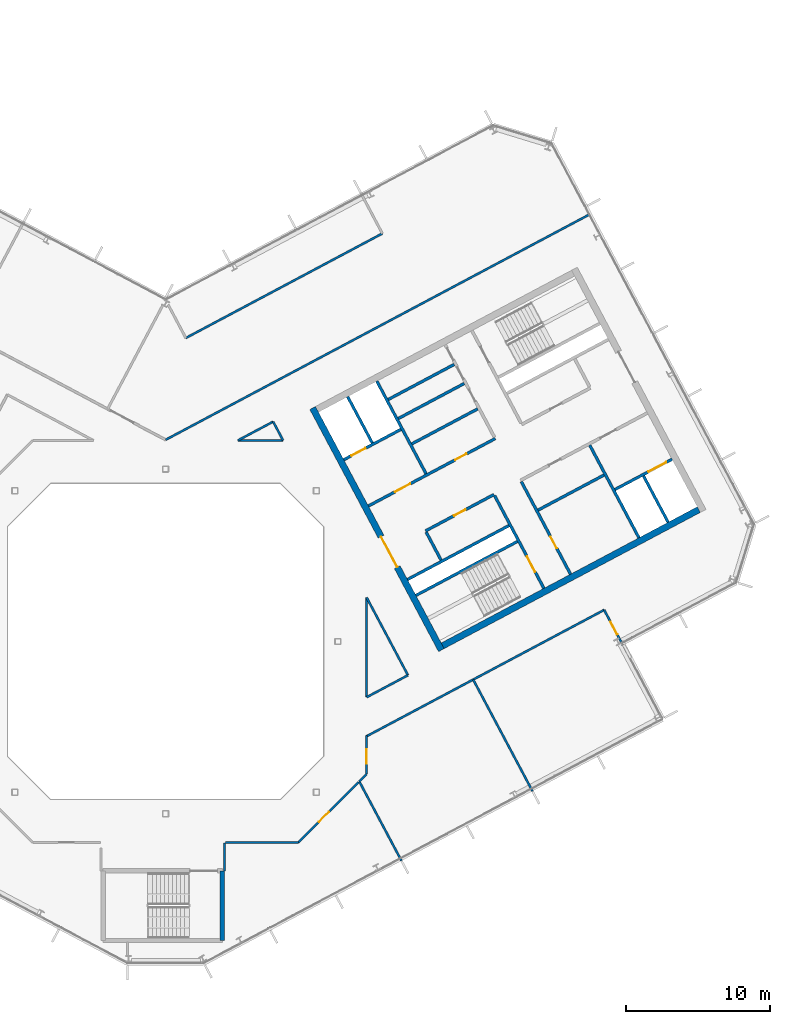
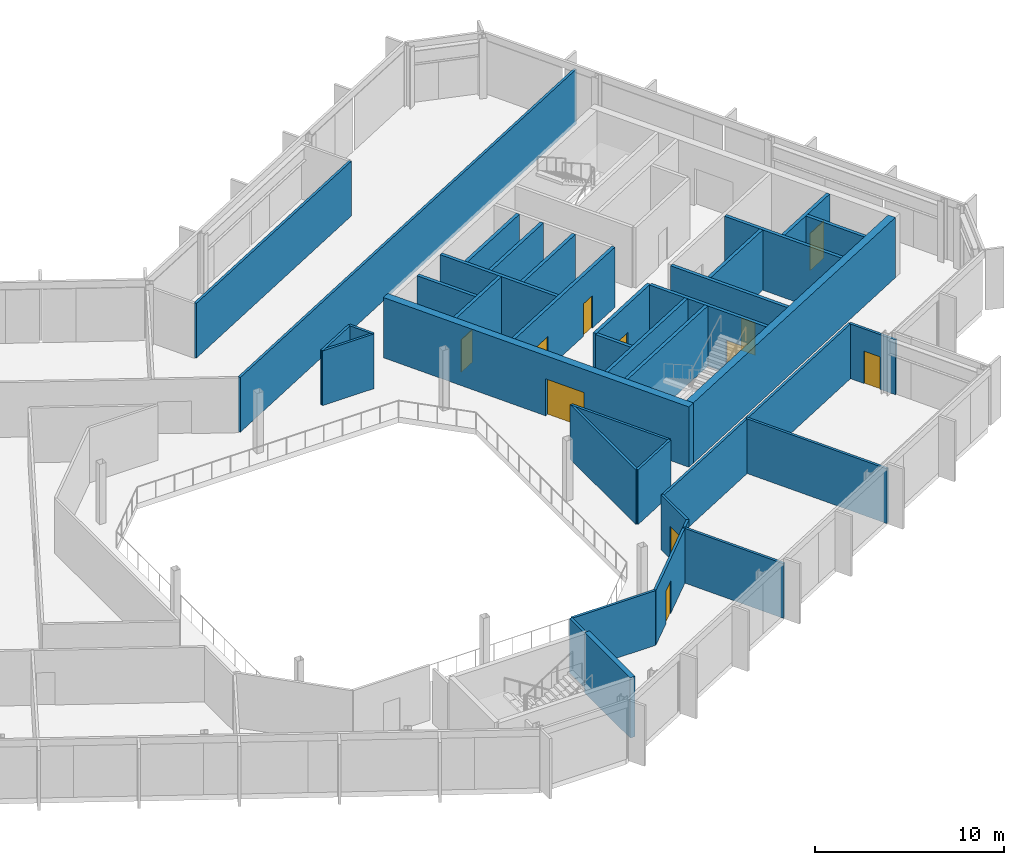
# One storey, part 16 of 26: 37 walls, 11 doors, 11 openings.
"""IFC4 building model written with IfcOpenShell, lengths in metres."""

from ifc_helpers import new_model, si_unit, direction, frame, frame_2d, origin, place, context, subcontext, project, spatial, rectangle, extrude, material, layer, layer_set, type_object, element, fill, save


model = new_model("IFC4")

# Units and contexts
model_context = context("Model", 3, precision=1e-05, world=origin(), true_north=direction((0.0, 1.0)))
body_context = subcontext(model_context, "Body", "Model", "MODEL_VIEW")
ifc_project = project(units=[si_unit("LENGTHUNIT", "METRE"), si_unit("AREAUNIT", "SQUARE_METRE"), si_unit("VOLUMEUNIT", "CUBIC_METRE"), si_unit("PLANEANGLEUNIT", "RADIAN"), si_unit("MASSUNIT", "GRAM", prefix="KILO")], contexts=[model_context])

# Site, building, storey
site_placement = place(None, origin())
site = spatial("IfcSite", under=ifc_project, at=site_placement, CompositionType="ELEMENT")
building_placement = place(site_placement, origin())
building = spatial("IfcBuilding", under=site, at=building_placement, Name="Cormorant Relay Tower", CompositionType="ELEMENT")
storey_placement = place(building_placement, frame((0.0, 0.0, 269.699951171875)))
storey = spatial("IfcBuildingStorey", under=building, at=storey_placement, Name="L60", CompositionType="ELEMENT", Elevation=269.699951171875)

# Walls
ifc_material_1 = material(Name="Concrete 40 MPa", Category="concrete")
ifc_layer_1 = layer(ifc_material_1, 0.199951171875)
ifc_layer_set_1 = layer_set([ifc_layer_1], Name="Core internal wall 200")
wall_type_1 = type_object("IfcWallType", Name="Core internal wall 200", PredefinedType="SOLIDWALL", material=ifc_layer_set_1)
for number, where, z_axis, x_axis, name in (
    (1, (16.2080078125, 15.526611328125, 0.0), (0.0, 0.0, 1.0), (0.882953967957, 0.469459572775, 0.0), "L60 core B shaft and room wall"),
    (2, (15.503662109375, 16.85107421875, 0.0), (0.0, 0.0, 1.0), (0.882953967957, 0.469459572775, 0.0), "L60 core B shaft and room wall"),
):
    element("IfcWall", number, at=place(storey_placement, frame(where, z_axis=z_axis, x_axis=x_axis)), inside=storey, type_object=wall_type_1, Name=name, PredefinedType="SOLIDWALL", context=body_context, shape_type="SweptSolid", body=[
        extrude(rectangle(XDim=5.199951171875, YDim=0.199951171875, at=frame_2d((2.60009765625, 0.0))), origin(), (0.0, 0.0, 1.0), 3.900146484375),
    ])
ifc_material_2 = material(Name="Concrete 50 MPa", Category="concrete")
ifc_layer_2 = layer(ifc_material_2, 0.199951171875)
ifc_layer_set_2 = layer_set([ifc_layer_2], Name="Core shaft wall 200")
wall_type_2 = type_object("IfcWallType", Name="Core shaft wall 200", PredefinedType="SHEAR", material=ifc_layer_set_2)
wall_1_placement = place(storey_placement, frame((14.39404296875, 13.825927734375, 0.0), z_axis=(0.0, 0.0, 1.0), x_axis=(-0.469494272526, 0.882935517501, 0.0)))
element("IfcWall", 3, at=wall_1_placement, inside=storey, type_object=wall_type_2, Name="L60 core B shaft wall", PredefinedType="SHEAR", context=body_context, shape_type="SweptSolid", body=[
    extrude(rectangle(XDim=3.64990234375, YDim=0.199951171875, at=frame_2d((1.824951171875, 0.0))), origin(), (0.0, 0.0, 1.0), 3.900146484375),
])
wall_2_placement = place(storey_placement, frame((19.18359375, 5.669921875, 0.0), z_axis=(0.0, 0.0, 1.0), x_axis=(-0.4694473164, 0.882960484464, 0.0)))
element("IfcWall", 4, at=wall_2_placement, inside=storey, type_object=wall_type_2, Name="L60 core B shaft wall", PredefinedType="SHEAR", context=body_context, shape_type="SweptSolid", body=[
    extrude(rectangle(XDim=2.199951171875, YDim=0.199951171875, at=frame_2d((1.10009765625, 0.0))), origin(), (0.0, 0.0, 1.0), 3.900146484375),
])
wall_3_placement = place(storey_placement, frame((18.138427734375, 11.682861328125, 0.0), z_axis=(0.0, 0.0, 1.0), x_axis=(-0.469480409012, 0.88294288918, 0.0)))
element("IfcWall", 5, at=wall_3_placement, inside=storey, type_object=wall_type_2, Name="L60 core B shaft wall", PredefinedType="SHEAR", context=body_context, shape_type="SweptSolid", body=[
    extrude(rectangle(XDim=7.300048828125, YDim=0.199951171875, at=frame_2d((3.64990234375, 0.0))), origin(), (0.0, 0.0, 1.0), 3.900146484375),
])

# Wall, opening, door
wall_4_placement = place(storey_placement, frame((26.345947265625, 3.701904296875, 0.0), z_axis=(0.0, 0.0, 1.0), x_axis=(-0.469480409012, 0.88294288918, 0.0)))
wall_4 = element("IfcWall", 6, at=wall_4_placement, inside=storey, type_object=wall_type_2, Name="L60 core B shaft wall", PredefinedType="SHEAR", context=body_context, shape_type="SweptSolid", body=[
    extrude(rectangle(XDim=7.300048828125, YDim=0.199951171875, at=frame_2d((3.64990234375, 0.0))), origin(), (0.0, 0.0, 1.0), 3.900146484375),
])
opening_1_placement = place(wall_4_placement, frame((1.300048828125, 0.0, 0.0)))
opening_1 = element("IfcOpeningElement", 7, at=opening_1_placement, cuts=wall_4, Name="Opening CDB-040", PredefinedType="OPENING", context=body_context, shape_type="SweptSolid", body=[
    extrude(rectangle(XDim=1.199951171875, YDim=2.10009765625, at=frame_2d((0.60009765625, 1.050048828125))), frame((0.0, 0.10986328125, 0.0), z_axis=(0.0, -1.0, 0.0), x_axis=(1.0, 0.0, 0.0)), (0.0, 0.0, 1.0), 0.219970703125),
])
ifc_material_3 = material(Name="Steel fire door", Category="steel")
door_type_1 = type_object("IfcDoorType", Name="Core stair door 1200x2100", OperationType="SINGLE_SWING_LEFT", PredefinedType="DOOR", material=ifc_material_3)
door_1_placement = place(opening_1_placement, origin())
door_1 = element("IfcDoor", 8, at=door_1_placement, inside=storey, type_object=door_type_1, Name="Core stair door 1200x2100", OperationType="SINGLE_SWING_RIGHT", OverallHeight=2.10009765625, OverallWidth=1.199951171875, PredefinedType="DOOR", context=body_context, shape_type="SweptSolid", body=[
    extrude(rectangle(XDim=1.199951171875, YDim=2.10009765625, at=frame_2d((0.60009765625, 1.050048828125))), frame((0.0, 0.02490234375, 0.0), z_axis=(0.0, -1.0, 0.0), x_axis=(1.0, 0.0, 0.0)), (0.0, 0.0, 1.0), 0.050048828125),
])
fill(opening_1, door_1)

wall_5_placement = place(storey_placement, frame((28.199951171875, 4.687744140625, 0.0), z_axis=(0.0, 0.0, 1.0), x_axis=(-0.469454336211, 0.882956752176, 0.0)))
wall_5 = element("IfcWall", 9, at=wall_5_placement, inside=storey, type_object=wall_type_2, Name="L60 core B shaft wall", PredefinedType="SHEAR", context=body_context, shape_type="SweptSolid", body=[
    extrude(rectangle(XDim=7.300048828125, YDim=0.199951171875, at=frame_2d((3.64990234375, 0.0))), origin(), (0.0, 0.0, 1.0), 3.900146484375),
])
opening_2_placement = place(wall_5_placement, frame((2.050048828125, 0.0, 0.0)))
opening_2 = element("IfcOpeningElement", 10, at=opening_2_placement, cuts=wall_5, Name="Opening CDD-317", PredefinedType="OPENING", context=body_context, shape_type="SweptSolid", body=[
    extrude(rectangle(XDim=0.89990234375, YDim=2.10009765625, at=frame_2d((0.449951171875, 1.050048828125))), frame((0.0, 0.10986328125, 0.0), z_axis=(0.0, -1.0, 0.0), x_axis=(1.0, 0.0, 0.0)), (0.0, 0.0, 1.0), 0.219970703125),
])
ifc_material_4 = material(Name="Steel fire door", Category="steel")
door_type_2 = type_object("IfcDoorType", Name="Core room door 900x2100", OperationType="SINGLE_SWING_LEFT", PredefinedType="DOOR", material=ifc_material_4)
door_2_placement = place(opening_2_placement, frame((0.89990234375, 0.0, 0.0), z_axis=(0.0, 0.0, 1.0), x_axis=(-1.0, 0.0, 0.0)))
door_2 = element("IfcDoor", 11, at=door_2_placement, inside=storey, type_object=door_type_2, Name="Core room door 900x2100", OperationType="SINGLE_SWING_LEFT", OverallHeight=2.10009765625, OverallWidth=0.89990234375, PredefinedType="DOOR", context=body_context, shape_type="SweptSolid", body=[
    extrude(rectangle(XDim=0.89990234375, YDim=2.10009765625, at=frame_2d((0.449951171875, 1.050048828125))), frame((0.0, 0.02490234375, 0.0), z_axis=(0.0, -1.0, 0.0), x_axis=(1.0, 0.0, 0.0)), (0.0, 0.0, 1.0), 0.050048828125),
])
fill(opening_2, door_2)

# Walls
wall_6_placement = place(storey_placement, frame((32.968017578125, 7.222900390625, 0.0), z_axis=(0.0, 0.0, 1.0), x_axis=(-0.469480409012, 0.88294288918, 0.0)))
element("IfcWall", 12, at=wall_6_placement, inside=storey, type_object=wall_type_2, Name="L60 core B shaft wall", PredefinedType="SHEAR", context=body_context, shape_type="SweptSolid", body=[
    extrude(rectangle(XDim=7.300048828125, YDim=0.199951171875, at=frame_2d((3.64990234375, 0.0))), origin(), (0.0, 0.0, 1.0), 3.900146484375),
])
wall_7_placement = place(storey_placement, frame((34.998779296875, 8.302734375, 0.0), z_axis=(0.0, 0.0, 1.0), x_axis=(-0.4694665462, 0.882950260207, 0.0)))
element("IfcWall", 13, at=wall_7_placement, inside=storey, type_object=wall_type_2, Name="L60 core B shaft wall", PredefinedType="SHEAR", context=body_context, shape_type="SweptSolid", body=[
    extrude(rectangle(XDim=3.650146484375, YDim=0.199951171875, at=frame_2d((1.8251953125, 0.0))), origin(), (0.0, 0.0, 1.0), 3.900146484375),
])
wall_8_placement = place(storey_placement, frame((17.43359375, 3.210205078125, 0.0), z_axis=(0.0, 0.0, 1.0), x_axis=(0.882940221191, 0.469485426614, 0.0)))
element("IfcWall", 14, at=wall_8_placement, inside=storey, type_object=wall_type_2, Name="L60 core B shaft wall", PredefinedType="SHEAR", context=body_context, shape_type="SweptSolid", body=[
    extrude(rectangle(XDim=8.0, YDim=0.199951171875, at=frame_2d((4.0, 0.0))), origin(), (0.0, 0.0, 1.0), 3.900146484375),
])

# Wall, opening, door
wall_9_placement = place(storey_placement, frame((31.295654296875, 10.5810546875, 0.0), z_axis=(0.0, 0.0, 1.0), x_axis=(0.882960433586, 0.469447412093, 0.0)))
wall_9 = element("IfcWall", 15, at=wall_9_placement, inside=storey, type_object=wall_type_2, Name="L60 core B shaft wall", PredefinedType="SHEAR", context=body_context, shape_type="SweptSolid", body=[
    extrude(rectangle(XDim=4.5, YDim=0.199951171875, at=frame_2d((2.25, 0.0))), origin(), (0.0, 0.0, 1.0), 3.900146484375),
])
opening_3_placement = place(wall_9_placement, frame((2.64990234375, 0.0, 0.0)))
opening_3 = element("IfcOpeningElement", 16, at=opening_3_placement, cuts=wall_9, Name="Opening LD3-016", PredefinedType="OPENING", context=body_context, shape_type="SweptSolid", body=[
    extrude(rectangle(XDim=1.39990234375, YDim=2.39990234375, at=frame_2d((0.699951171875, 1.199951171875))), frame((0.0, 0.10986328125, 0.0), z_axis=(0.0, -1.0, 0.0), x_axis=(1.0, 0.0, 0.0)), (0.0, 0.0, 1.0), 0.219970703125),
])
ifc_material_5 = material(Name="Stainless steel 316", Category="steel")
door_type_3 = type_object("IfcDoorType", Name="Lift landing door 1400x2400", OperationType="DOUBLE_DOOR_SLIDING", PredefinedType="DOOR", material=ifc_material_5)
door_3_placement = place(opening_3_placement, origin())
door_3 = element("IfcDoor", 17, at=door_3_placement, inside=storey, type_object=door_type_3, Name="SV2 landing door", OperationType="DOUBLE_DOOR_SLIDING", OverallHeight=2.39990234375, OverallWidth=1.39990234375, PredefinedType="DOOR", context=body_context, shape_type="SweptSolid", body=[
    extrude(rectangle(XDim=1.39990234375, YDim=2.39990234375, at=frame_2d((0.699951171875, 1.199951171875))), frame((0.0, 0.02490234375, 0.0), z_axis=(0.0, -1.0, 0.0), x_axis=(1.0, 0.0, 0.0)), (0.0, 0.0, 1.0), 0.050048828125),
])
fill(opening_3, door_3)

# Walls
wall_10_placement = place(storey_placement, frame((16.8466796875, 4.31396484375, 0.0), z_axis=(0.0, 0.0, 1.0), x_axis=(0.882940221191, 0.469485426614, 0.0)))
element("IfcWall", 18, at=wall_10_placement, inside=storey, type_object=wall_type_2, Name="L60 core B shaft wall", PredefinedType="SHEAR", context=body_context, shape_type="SweptSolid", body=[
    extrude(rectangle(XDim=8.0, YDim=0.199951171875, at=frame_2d((4.0, 0.0))), origin(), (0.0, 0.0, 1.0), 3.900146484375),
])
wall_11_placement = place(storey_placement, frame((25.94091796875, 9.149658203125, 0.0), z_axis=(0.0, 0.0, 1.0), x_axis=(0.882953967957, 0.469459572775, 0.0)))
element("IfcWall", 19, at=wall_11_placement, inside=storey, type_object=wall_type_2, Name="L60 core B shaft wall", PredefinedType="SHEAR", context=body_context, shape_type="SweptSolid", body=[
    extrude(rectangle(XDim=5.199951171875, YDim=0.199951171875, at=frame_2d((2.60009765625, 0.0))), origin(), (0.0, 0.0, 1.0), 3.900146484375),
])

# Wall, opening, door
wall_12_placement = place(storey_placement, frame((18.103759765625, 7.70068359375, 0.0), z_axis=(0.0, 0.0, 1.0), x_axis=(0.882952937579, 0.469461510692, 0.0)))
wall_12 = element("IfcWall", 20, at=wall_12_placement, inside=storey, type_object=wall_type_2, Name="L60 core B shaft wall", PredefinedType="SHEAR", context=body_context, shape_type="SweptSolid", body=[
    extrude(rectangle(XDim=5.400146484375, YDim=0.199951171875, at=frame_2d((2.7001953125, 0.0))), origin(), (0.0, 0.0, 1.0), 3.900146484375),
])
opening_4_placement = place(wall_12_placement, frame((2.25, 0.0, 0.0)))
opening_4 = element("IfcOpeningElement", 21, at=opening_4_placement, cuts=wall_12, Name="Opening CDD-262", PredefinedType="OPENING", context=body_context, shape_type="SweptSolid", body=[
    extrude(rectangle(XDim=0.89990234375, YDim=2.10009765625, at=frame_2d((0.449951171875, 1.050048828125))), frame((0.0, 0.10986328125, 0.0), z_axis=(0.0, -1.0, 0.0), x_axis=(1.0, 0.0, 0.0)), (0.0, 0.0, 1.0), 0.219970703125),
])
door_4_placement = place(opening_4_placement, frame((0.89990234375, 0.0, 0.0), z_axis=(0.0, 0.0, 1.0), x_axis=(-1.0, 0.0, 0.0)))
door_4 = element("IfcDoor", 22, at=door_4_placement, inside=storey, type_object=door_type_2, Name="Core room door 900x2100", OperationType="SINGLE_SWING_RIGHT", OverallHeight=2.10009765625, OverallWidth=0.89990234375, PredefinedType="DOOR", context=body_context, shape_type="SweptSolid", body=[
    extrude(rectangle(XDim=0.89990234375, YDim=2.10009765625, at=frame_2d((0.449951171875, 1.050048828125))), frame((0.0, 0.02490234375, 0.0), z_axis=(0.0, -1.0, 0.0), x_axis=(1.0, 0.0, 0.0)), (0.0, 0.0, 1.0), 0.050048828125),
])
fill(opening_4, door_4)

# Wall, openings, doors
wall_13_placement = place(storey_placement, frame((14.123779296875, 9.43505859375, 0.0), z_axis=(0.0, 0.0, 1.0), x_axis=(0.882940221191, 0.469485426614, 0.0)))
wall_13 = element("IfcWall", 23, at=wall_13_placement, inside=storey, type_object=wall_type_2, Name="L60 core B shaft wall", PredefinedType="SHEAR", context=body_context, shape_type="SweptSolid", body=[
    extrude(rectangle(XDim=10.0, YDim=0.199951171875, at=frame_2d((5.0, 0.0))), origin(), (0.0, 0.0, 1.0), 3.900146484375),
])
opening_5_placement = place(wall_13_placement, frame((2.10009765625, 0.0, 0.0)))
opening_5 = element("IfcOpeningElement", 24, at=opening_5_placement, cuts=wall_13, Name="Opening CDC-037", PredefinedType="OPENING", context=body_context, shape_type="SweptSolid", body=[
    extrude(rectangle(XDim=1.199951171875, YDim=2.10009765625, at=frame_2d((0.60009765625, 1.050048828125))), frame((0.0, 0.10986328125, 0.0), z_axis=(0.0, -1.0, 0.0), x_axis=(1.0, 0.0, 0.0)), (0.0, 0.0, 1.0), 0.219970703125),
])
opening_6_placement = place(wall_13_placement, frame((6.85009765625, 0.0, 0.0)))
opening_6 = element("IfcOpeningElement", 25, at=opening_6_placement, cuts=wall_13, Name="Opening CDD-260", PredefinedType="OPENING", context=body_context, shape_type="SweptSolid", body=[
    extrude(rectangle(XDim=0.89990234375, YDim=2.10009765625, at=frame_2d((0.449951171875, 1.050048828125))), frame((0.0, 0.10986328125, 0.0), z_axis=(0.0, -1.0, 0.0), x_axis=(1.0, 0.0, 0.0)), (0.0, 0.0, 1.0), 0.219970703125),
])
ifc_material_6 = material(Name="Steel fire door", Category="steel")
door_type_4 = type_object("IfcDoorType", Name="Core lobby door 1200x2100", OperationType="SINGLE_SWING_LEFT", PredefinedType="DOOR", material=ifc_material_6)
door_5_placement = place(opening_5_placement, origin())
door_5 = element("IfcDoor", 26, at=door_5_placement, inside=storey, type_object=door_type_4, Name="Core lobby door 1200x2100", OperationType="SINGLE_SWING_RIGHT", OverallHeight=2.10009765625, OverallWidth=1.199951171875, PredefinedType="DOOR", context=body_context, shape_type="SweptSolid", body=[
    extrude(rectangle(XDim=1.199951171875, YDim=2.10009765625, at=frame_2d((0.60009765625, 1.050048828125))), frame((0.0, 0.02490234375, 0.0), z_axis=(0.0, -1.0, 0.0), x_axis=(1.0, 0.0, 0.0)), (0.0, 0.0, 1.0), 0.050048828125),
])
fill(opening_5, door_5)
door_6_placement = place(opening_6_placement, origin())
door_6 = element("IfcDoor", 27, at=door_6_placement, inside=storey, type_object=door_type_2, Name="Core room door 900x2100", OperationType="SINGLE_SWING_LEFT", OverallHeight=2.10009765625, OverallWidth=0.89990234375, PredefinedType="DOOR", context=body_context, shape_type="SweptSolid", body=[
    extrude(rectangle(XDim=0.89990234375, YDim=2.10009765625, at=frame_2d((0.449951171875, 1.050048828125))), frame((0.0, 0.02490234375, 0.0), z_axis=(0.0, -1.0, 0.0), x_axis=(1.0, 0.0, 0.0)), (0.0, 0.0, 1.0), 0.050048828125),
])
fill(opening_6, door_6)

# Wall
wall_14_placement = place(storey_placement, frame((17.146728515625, 13.7607421875, 0.0), z_axis=(0.0, 0.0, 1.0), x_axis=(0.882964314875, 0.469440111896, 0.0)))
element("IfcWall", 28, at=wall_14_placement, inside=storey, type_object=wall_type_2, Name="L60 core B shaft wall", PredefinedType="SHEAR", context=body_context, shape_type="SweptSolid", body=[
    extrude(rectangle(XDim=5.2001953125, YDim=0.199951171875, at=frame_2d((2.60009765625, 0.0))), origin(), (0.0, 0.0, 1.0), 3.900146484375),
])

# Wall, opening, door
wall_15_placement = place(storey_placement, frame((12.41015625, 12.657958984375, 0.0), z_axis=(0.0, 0.0, 1.0), x_axis=(0.8829484765, 0.469469900894, 0.0)))
wall_15 = element("IfcWall", 29, at=wall_15_placement, inside=storey, type_object=wall_type_2, Name="L60 core B shaft wall", PredefinedType="SHEAR", context=body_context, shape_type="SweptSolid", body=[
    extrude(rectangle(XDim=4.499755859375, YDim=0.199951171875, at=frame_2d((2.25, 0.0))), origin(), (0.0, 0.0, 1.0), 3.900146484375),
])
opening_7_placement = place(wall_15_placement, frame((0.60009765625, 0.0, 0.0)))
opening_7 = element("IfcOpeningElement", 30, at=opening_7_placement, cuts=wall_15, Name="Opening LD1-064", PredefinedType="OPENING", context=body_context, shape_type="SweptSolid", body=[
    extrude(rectangle(XDim=1.10009765625, YDim=2.10009765625, at=frame_2d((0.550048828125, 1.050048828125))), frame((0.0, 0.10986328125, 0.0), z_axis=(0.0, -1.0, 0.0), x_axis=(1.0, 0.0, 0.0)), (0.0, 0.0, 1.0), 0.219970703125),
])
ifc_material_7 = material(Name="Stainless steel 316", Category="steel")
door_type_5 = type_object("IfcDoorType", Name="Lift landing door 1100x2100", OperationType="DOUBLE_DOOR_SLIDING", PredefinedType="DOOR", material=ifc_material_7)
door_7_placement = place(opening_7_placement, origin())
door_7 = element("IfcDoor", 31, at=door_7_placement, inside=storey, type_object=door_type_5, Name="FF2 landing door", OperationType="DOUBLE_DOOR_SLIDING", OverallHeight=2.10009765625, OverallWidth=1.10009765625, PredefinedType="DOOR", context=body_context, shape_type="SweptSolid", body=[
    extrude(rectangle(XDim=1.10009765625, YDim=2.10009765625, at=frame_2d((0.550048828125, 1.050048828125))), frame((0.0, 0.02490234375, 0.0), z_axis=(0.0, -1.0, 0.0), x_axis=(1.0, 0.0, 0.0)), (0.0, 0.0, 1.0), 0.050048828125),
])
fill(opening_7, door_7)

ifc_material_8 = material(Name="Concrete 50 MPa", Category="concrete")
ifc_layer_3 = layer(ifc_material_8, 0.449951171875)
ifc_layer_set_3 = layer_set([ifc_layer_3], Name="Core wall 450")
wall_type_3 = type_object("IfcWallType", Name="Core wall 450", PredefinedType="SHEAR", material=ifc_layer_set_3)
wall_16_placement = place(storey_placement, frame((19.20654296875, -0.603759765625, 0.0), z_axis=(0.0, 0.0, 1.0), x_axis=(-0.469467968382, 0.882949504028, 0.0)))
wall_16 = element("IfcWall", 32, at=wall_16_placement, inside=storey, type_object=wall_type_3, Name="L60 core B wall", PredefinedType="SHEAR", context=body_context, shape_type="SweptSolid", body=[
    extrude(rectangle(XDim=19.099853515625, YDim=0.449951171875, at=frame_2d((9.5498046875, 0.0))), origin(), (0.0, 0.0, 1.0), 3.900146484375),
])
opening_8_placement = place(wall_16_placement, frame((6.550048828125, 0.0, 0.0)))
opening_8 = element("IfcOpeningElement", 33, at=opening_8_placement, cuts=wall_16, Name="Opening CDA-055", PredefinedType="OPENING", context=body_context, shape_type="SweptSolid", body=[
    extrude(rectangle(XDim=2.39990234375, YDim=2.39990234375, at=frame_2d((1.199951171875, 1.199951171875))), frame((0.0, 0.23486328125, 0.0), z_axis=(0.0, -1.0, 0.0), x_axis=(1.0, 0.0, 0.0)), (0.0, 0.0, 1.0), 0.469970703125),
])
ifc_material_9 = material(Name="Steel fire door", Category="steel")
door_type_6 = type_object("IfcDoorType", Name="Core lobby door 2400x2400", OperationType="DOUBLE_DOOR_SINGLE_SWING", PredefinedType="DOOR", material=ifc_material_9)
door_8_placement = place(opening_8_placement, origin())
door_8 = element("IfcDoor", 34, at=door_8_placement, inside=storey, type_object=door_type_6, Name="Core lobby door 2400x2400", OperationType="DOUBLE_DOOR_SINGLE_SWING", OverallHeight=2.39990234375, OverallWidth=2.39990234375, PredefinedType="DOOR", context=body_context, shape_type="SweptSolid", body=[
    extrude(rectangle(XDim=2.39990234375, YDim=2.39990234375, at=frame_2d((1.199951171875, 1.199951171875))), frame((0.0, 0.02490234375, 0.0), z_axis=(0.0, -1.0, 0.0), x_axis=(1.0, 0.0, 0.0)), (0.0, 0.0, 1.0), 0.050048828125),
])
fill(opening_8, door_8)

# Walls
wall_17_placement = place(storey_placement, frame((19.299560546875, -0.29931640625, 0.0), z_axis=(0.0, 0.0, 1.0), x_axis=(0.88295276571, 0.46946183394, 0.0)))
element("IfcWall", 35, at=wall_17_placement, inside=storey, type_object=wall_type_3, Name="L60 core B wall", PredefinedType="SHEAR", context=body_context, shape_type="SweptSolid", body=[
    extrude(rectangle(XDim=20.199951171875, YDim=0.449951171875, at=frame_2d((10.10009765625, 0.0))), origin(), (0.0, 0.0, 1.0), 3.900146484375),
])
ifc_material_10 = material(Name="Gypsum board fire partition")
ifc_layer_4 = layer(ifc_material_10, 0.14990234375)
ifc_layer_set_4 = layer_set([ifc_layer_4], Name="Corridor partition 150 EI 60")
wall_type_4 = type_object("IfcWallType", Name="Corridor partition 150 EI 60", PredefinedType="PARTITIONING", material=ifc_layer_set_4)
wall_18_placement = place(storey_placement, frame((0.0, 14.0439453125, 0.0), z_axis=(0.0, 0.0, 1.0), x_axis=(0.882952097871, 0.469463089992, 0.0)))
element("IfcWall", 36, at=wall_18_placement, inside=storey, type_object=wall_type_4, Name="wall/L60/part/009", PredefinedType="PARTITIONING", context=body_context, shape_type="SweptSolid", body=[
    extrude(rectangle(XDim=33.606689453125, YDim=0.14990234375, at=frame_2d((16.80322265625, 0.0))), origin(), (0.0, 0.0, 1.0), 3.5400390625),
])
wall_19_placement = place(storey_placement, frame((4.10009765625, -15.97509765625, 0.0), z_axis=(0.0, 0.0, 1.0), x_axis=(0.0, 1.0, 0.0)))
element("IfcWall", 37, at=wall_19_placement, inside=storey, type_object=wall_type_4, Name="wall/L60/part/032", PredefinedType="PARTITIONING", context=body_context, shape_type="SweptSolid", body=[
    extrude(rectangle(XDim=1.95703125, YDim=0.14990234375, at=frame_2d((0.978515625, 0.0))), origin(), (0.0, 0.0, 1.0), 3.5400390625),
])

# Wall, opening, door
wall_20_placement = place(storey_placement, frame((13.428955078125, -9.81396484375, 0.0), z_axis=(0.0, 0.0, 1.0), x_axis=(-0.707106781187, -0.707106781187, 0.0)))
wall_20 = element("IfcWall", 38, at=wall_20_placement, inside=storey, type_object=wall_type_4, Name="wall/L60/part/033", PredefinedType="PARTITIONING", context=body_context, shape_type="SweptSolid", body=[
    extrude(rectangle(XDim=5.919921875, YDim=0.14990234375, at=frame_2d((2.9599609375, 0.0))), origin(), (0.0, 0.0, 1.0), 3.5400390625),
])
opening_9_placement = place(wall_20_placement, frame((2.89990234375, 0.0, 0.0)))
opening_9 = element("IfcOpeningElement", 39, at=opening_9_placement, cuts=wall_20, Name="Opening DS-202", PredefinedType="OPENING", context=body_context, shape_type="SweptSolid", body=[
    extrude(rectangle(XDim=1.0, YDim=2.10009765625, at=frame_2d((0.5, 1.050048828125))), frame((0.0, 0.0849609375, 0.0), z_axis=(0.0, -1.0, 0.0), x_axis=(1.0, 0.0, 0.0)), (0.0, 0.0, 1.0), 0.169921875),
])
ifc_material_11 = material(Name="Timber door leaf", Category="wood")
door_type_7 = type_object("IfcDoorType", Name="Suite door 1000x2100", OperationType="SINGLE_SWING_LEFT", PredefinedType="DOOR", material=ifc_material_11)
door_9_placement = place(opening_9_placement, origin())
door_9 = element("IfcDoor", 40, at=door_9_placement, inside=storey, type_object=door_type_7, Name="door/L60/005", OperationType="SINGLE_SWING_LEFT", OverallHeight=2.10009765625, OverallWidth=1.0, PredefinedType="DOOR", context=body_context, shape_type="SweptSolid", body=[
    extrude(rectangle(XDim=1.0, YDim=2.10009765625, at=frame_2d((0.5, 1.050048828125))), frame((0.0, 0.02490234375, 0.0), z_axis=(0.0, -1.0, 0.0), x_axis=(1.0, 0.0, 0.0)), (0.0, 0.0, 1.0), 0.050048828125),
])
fill(opening_9, door_9)

# Wall
wall_21_placement = place(storey_placement, frame((9.242919921875, -14.0, 0.0), z_axis=(0.0, 0.0, 1.0), x_axis=(-1.0, 0.0, 0.0)))
element("IfcWall", 41, at=wall_21_placement, inside=storey, type_object=wall_type_4, Name="wall/L60/part/034", PredefinedType="PARTITIONING", context=body_context, shape_type="SweptSolid", body=[
    extrude(rectangle(XDim=5.06787109375, YDim=0.14990234375, at=frame_2d((2.533935546875, 0.0))), origin(), (0.0, 0.0, 1.0), 3.5400390625),
])

# Wall, opening, door
wall_22_placement = place(storey_placement, frame((14.0, -6.550048828125, 0.0), z_axis=(0.0, 0.0, 1.0), x_axis=(0.0, -1.0, 0.0)))
wall_22 = element("IfcWall", 42, at=wall_22_placement, inside=storey, type_object=wall_type_4, Name="wall/L60/part/036", PredefinedType="PARTITIONING", context=body_context, shape_type="SweptSolid", body=[
    extrude(rectangle(XDim=2.69287109375, YDim=0.14990234375, at=frame_2d((1.346435546875, 0.0))), origin(), (0.0, 0.0, 1.0), 3.5400390625),
])
opening_10_placement = place(wall_22_placement, frame((0.951904296875, 0.0, 0.0)))
opening_10 = element("IfcOpeningElement", 43, at=opening_10_placement, cuts=wall_22, Name="Opening DS-203", PredefinedType="OPENING", context=body_context, shape_type="SweptSolid", body=[
    extrude(rectangle(XDim=1.0, YDim=2.10009765625, at=frame_2d((0.5, 1.050048828125))), frame((0.0, 0.0849609375, 0.0), z_axis=(0.0, -1.0, 0.0), x_axis=(1.0, 0.0, 0.0)), (0.0, 0.0, 1.0), 0.169921875),
])
door_10_placement = place(opening_10_placement, origin())
door_10 = element("IfcDoor", 44, at=door_10_placement, inside=storey, type_object=door_type_7, Name="door/L60/006", OperationType="SINGLE_SWING_LEFT", OverallHeight=2.10009765625, OverallWidth=1.0, PredefinedType="DOOR", context=body_context, shape_type="SweptSolid", body=[
    extrude(rectangle(XDim=1.0, YDim=2.10009765625, at=frame_2d((0.5, 1.050048828125))), frame((0.0, 0.02490234375, 0.0), z_axis=(0.0, -1.0, 0.0), x_axis=(1.0, 0.0, 0.0)), (0.0, 0.0, 1.0), 0.050048828125),
])
fill(opening_10, door_10)

# Wall
wall_23_placement = place(storey_placement, frame((13.4951171875, -9.748046875, 0.0), z_axis=(0.0, 0.0, 1.0), x_axis=(0.706252478894, 0.707960052585, 0.0)))
element("IfcWall", 45, at=wall_23_placement, inside=storey, type_object=wall_type_4, Name="wall/L60/part/037", PredefinedType="PARTITIONING", context=body_context, shape_type="SweptSolid", body=[
    extrude(rectangle(XDim=0.71484375, YDim=0.14990234375, at=frame_2d((0.357421875, 0.0))), origin(), (0.0, 0.0, 1.0), 3.5400390625),
])

# Wall, opening, door
wall_24_placement = place(storey_placement, frame((31.89697265625, -0.346923828125, 0.0), z_axis=(0.0, 0.0, 1.0), x_axis=(-0.469576437406, 0.882891822045, 0.0)))
wall_24 = element("IfcWall", 46, at=wall_24_placement, inside=storey, type_object=wall_type_4, Name="wall/L60/part/039", PredefinedType="PARTITIONING", context=body_context, shape_type="SweptSolid", body=[
    extrude(rectangle(XDim=2.88134765625, YDim=0.14990234375, at=frame_2d((1.440673828125, 0.0))), origin(), (0.0, 0.0, 1.0), 3.5400390625),
])
opening_11_placement = place(wall_24_placement, frame((0.949951171875, 0.0, 0.0)))
opening_11 = element("IfcOpeningElement", 47, at=opening_11_placement, cuts=wall_24, Name="Opening DS-204", PredefinedType="OPENING", context=body_context, shape_type="SweptSolid", body=[
    extrude(rectangle(XDim=1.0, YDim=2.10009765625, at=frame_2d((0.5, 1.050048828125))), frame((0.0, 0.0849609375, 0.0), z_axis=(0.0, -1.0, 0.0), x_axis=(1.0, 0.0, 0.0)), (0.0, 0.0, 1.0), 0.169921875),
])
door_11_placement = place(opening_11_placement, origin())
door_11 = element("IfcDoor", 48, at=door_11_placement, inside=storey, type_object=door_type_7, Name="door/L60/007", OperationType="SINGLE_SWING_LEFT", OverallHeight=2.10009765625, OverallWidth=1.0, PredefinedType="DOOR", context=body_context, shape_type="SweptSolid", body=[
    extrude(rectangle(XDim=1.0, YDim=2.10009765625, at=frame_2d((0.5, 1.050048828125))), frame((0.0, 0.02490234375, 0.0), z_axis=(0.0, -1.0, 0.0), x_axis=(1.0, 0.0, 0.0)), (0.0, 0.0, 1.0), 0.050048828125),
])
fill(opening_11, door_11)

# Walls
wall_25_placement = place(storey_placement, frame((30.5439453125, 2.197021484375, 0.0), z_axis=(0.0, 0.0, 1.0), x_axis=(-0.88293548313, -0.469494337165, 0.0)))
element("IfcWall", 49, at=wall_25_placement, inside=storey, type_object=wall_type_4, Name="wall/L60/part/040", PredefinedType="PARTITIONING", context=body_context, shape_type="SweptSolid", body=[
    extrude(rectangle(XDim=18.737548828125, YDim=0.14990234375, at=frame_2d((9.36865234375, 0.0))), origin(), (0.0, 0.0, 1.0), 3.5400390625),
])
wall_26_placement = place(storey_placement, frame((7.489990234375, 15.30810546875, 0.0), z_axis=(0.0, 0.0, 1.0), x_axis=(-0.882929584463, -0.469505430086, 0.0)))
element("IfcWall", 50, at=wall_26_placement, inside=storey, type_object=wall_type_4, Name="wall/L60/part/050", PredefinedType="PARTITIONING", context=body_context, shape_type="SweptSolid", body=[
    extrude(rectangle(XDim=2.7861328125, YDim=0.14990234375, at=frame_2d((1.39306640625, 0.0))), origin(), (0.0, 0.0, 1.0), 3.5400390625),
])
wall_27_placement = place(storey_placement, frame((5.030029296875, 14.0, 0.0), z_axis=(0.0, 0.0, 1.0), x_axis=(1.0, 0.0, 0.0)))
element("IfcWall", 51, at=wall_27_placement, inside=storey, type_object=wall_type_4, Name="wall/L60/part/051", PredefinedType="PARTITIONING", context=body_context, shape_type="SweptSolid", body=[
    extrude(rectangle(XDim=3.156005859375, YDim=0.14990234375, at=frame_2d((1.578125, 0.0))), origin(), (0.0, 0.0, 1.0), 3.5400390625),
])
wall_28_placement = place(storey_placement, frame((8.18603515625, 14.0, 0.0), z_axis=(0.0, 0.0, 1.0), x_axis=(-0.469741395349, 0.882804067444, 0.0)))
element("IfcWall", 52, at=wall_28_placement, inside=storey, type_object=wall_type_4, Name="wall/L60/part/052", PredefinedType="PARTITIONING", context=body_context, shape_type="SweptSolid", body=[
    extrude(rectangle(XDim=1.481689453125, YDim=0.14990234375, at=frame_2d((0.74072265625, 0.0))), origin(), (0.0, 0.0, 1.0), 3.5400390625),
])
wall_29_placement = place(storey_placement, frame((14.0, -3.882080078125, 0.0), z_axis=(0.0, 0.0, 1.0), x_axis=(0.882913997068, 0.469534741826, 0.0)))
element("IfcWall", 53, at=wall_29_placement, inside=storey, type_object=wall_type_4, Name="wall/L60/part/053", PredefinedType="PARTITIONING", context=body_context, shape_type="SweptSolid", body=[
    extrude(rectangle(XDim=3.2607421875, YDim=0.14990234375, at=frame_2d((1.63037109375, 0.0))), origin(), (0.0, 0.0, 1.0), 3.5400390625),
])
wall_30_placement = place(storey_placement, frame((16.87890625, -2.35107421875, 0.0), z_axis=(0.0, 0.0, 1.0), x_axis=(-0.469364750374, 0.883004377739, 0.0)))
element("IfcWall", 54, at=wall_30_placement, inside=storey, type_object=wall_type_4, Name="wall/L60/part/054", PredefinedType="PARTITIONING", context=body_context, shape_type="SweptSolid", body=[
    extrude(rectangle(XDim=6.133544921875, YDim=0.14990234375, at=frame_2d((3.06689453125, 0.0))), origin(), (0.0, 0.0, 1.0), 3.5400390625),
])
wall_31_placement = place(storey_placement, frame((14.0, 3.06494140625, 0.0), z_axis=(0.0, 0.0, 1.0), x_axis=(0.0, -1.0, 0.0)))
element("IfcWall", 55, at=wall_31_placement, inside=storey, type_object=wall_type_4, Name="wall/L60/part/055", PredefinedType="PARTITIONING", context=body_context, shape_type="SweptSolid", body=[
    extrude(rectangle(XDim=6.947021484375, YDim=0.14990234375, at=frame_2d((3.4736328125, 0.0))), origin(), (0.0, 0.0, 1.0), 3.5400390625),
])
ifc_material_12 = material(Name="Concrete 50 MPa", Category="concrete")
ifc_layer_5 = layer(ifc_material_12, 0.300048828125)
ifc_layer_set_5 = layer_set([ifc_layer_5], Name="Remote stair wall 300")
wall_type_5 = type_object("IfcWallType", Name="Remote stair wall 300", PredefinedType="SHEAR", material=ifc_layer_set_5)
wall_32_placement = place(storey_placement, frame((3.949951171875, -15.97509765625, 0.0), z_axis=(0.0, 0.0, 1.0), x_axis=(0.0, -1.0, 0.0)))
element("IfcWall", 56, at=wall_32_placement, inside=storey, type_object=wall_type_5, Name="L60 exit stair RK1 wall", PredefinedType="SHEAR", context=body_context, shape_type="SweptSolid", body=[
    extrude(rectangle(XDim=4.849853515625, YDim=0.300048828125, at=frame_2d((2.4248046875, 0.0))), origin(), (0.0, 0.0, 1.0), 3.900146484375),
])
ifc_material_13 = material(Name="Gypsum board partition")
ifc_layer_6 = layer(ifc_material_13, 0.14990234375)
ifc_layer_set_6 = layer_set([ifc_layer_6], Name="Tenant partition 150")
wall_type_6 = type_object("IfcWallType", Name="Tenant partition 150", PredefinedType="PARTITIONING", material=ifc_layer_set_6)
wall_33_placement = place(storey_placement, frame((1.408935546875, 21.135986328125, 0.0), z_axis=(0.0, 0.0, 1.0), x_axis=(0.882956998251, 0.469453873388, 0.0)))
element("IfcWall", 57, at=wall_33_placement, inside=storey, type_object=wall_type_6, Name="wall/L60/part/030", PredefinedType="PARTITIONING", context=body_context, shape_type="SweptSolid", body=[
    extrude(rectangle(XDim=15.4990234375, YDim=0.14990234375, at=frame_2d((7.74951171875, 0.0))), origin(), (0.0, 0.0, 1.0), 3.5400390625),
])
wall_34_placement = place(storey_placement, frame((13.490966796875, -9.751953125, 0.0), z_axis=(0.0, 0.0, 1.0), x_axis=(0.469644039597, -0.882855863701, 0.0)))
element("IfcWall", 58, at=wall_34_placement, inside=storey, type_object=wall_type_6, Name="wall/L60/part/035", PredefinedType="PARTITIONING", context=body_context, shape_type="SweptSolid", body=[
    extrude(rectangle(XDim=6.255859375, YDim=0.14990234375, at=frame_2d((3.1279296875, 0.0))), origin(), (0.0, 0.0, 1.0), 3.5400390625),
])
wall_35_placement = place(storey_placement, frame((21.4208984375, -2.654052734375, 0.0), z_axis=(0.0, 0.0, 1.0), x_axis=(0.469445946219, -0.882961212952, 0.0)))
element("IfcWall", 59, at=wall_35_placement, inside=storey, type_object=wall_type_6, Name="wall/L60/part/038", PredefinedType="PARTITIONING", context=body_context, shape_type="SweptSolid", body=[
    extrude(rectangle(XDim=8.800048828125, YDim=0.14990234375, at=frame_2d((4.39990234375, 0.0))), origin(), (0.0, 0.0, 1.0), 3.5400390625),
])

save(model, "model.ifc")
